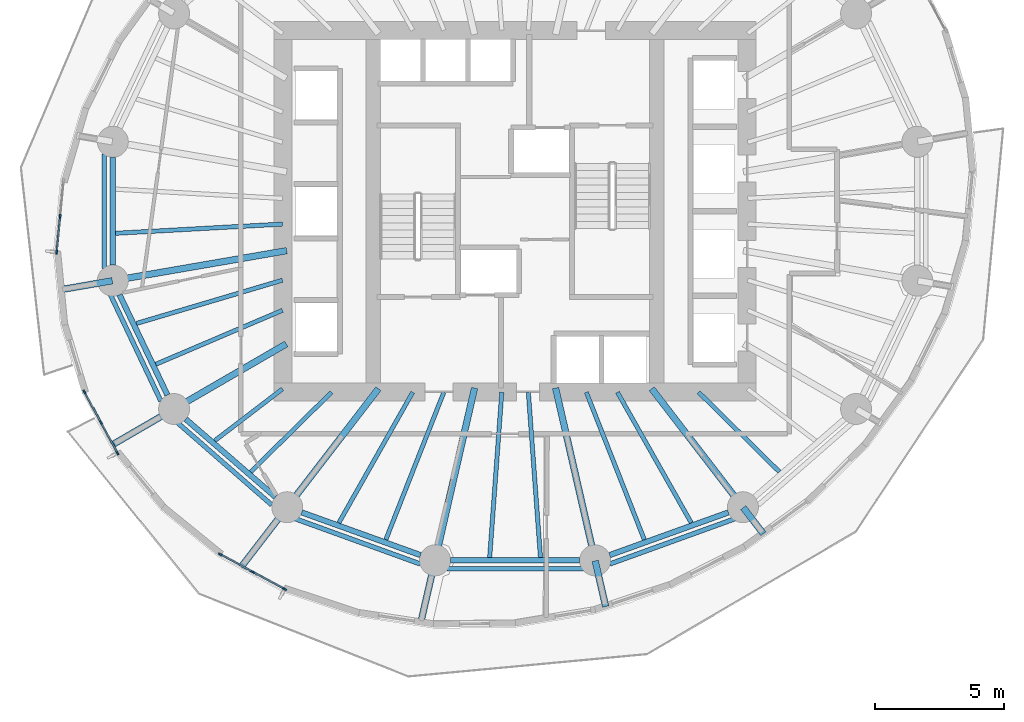
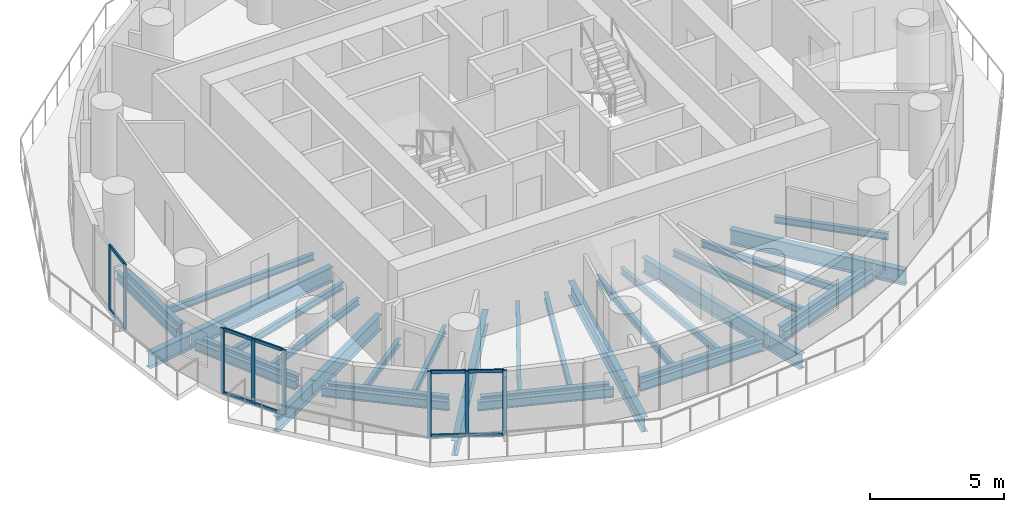
# One storey, part 2 of 14: 36 beams, 18 members, 3 elements without a shape of their own.
"""IFC4 building model written with IfcOpenShell, lengths in metres."""

from ifc_helpers import new_model, si_unit, direction, frame, origin, origin_2d, place, context, subcontext, project, spatial, rectangle, i_section, extrude, material, material_profile, profile_set, type_object, element, aggregate, save


model = new_model("IFC4")

# Units and contexts
model_context = context("Model", 3, precision=1e-05, world=origin(), true_north=direction((0.0, 1.0)))
body_context = subcontext(model_context, "Body", "Model", "MODEL_VIEW")
ifc_project = project(units=[si_unit("LENGTHUNIT", "METRE"), si_unit("AREAUNIT", "SQUARE_METRE"), si_unit("VOLUMEUNIT", "CUBIC_METRE"), si_unit("PLANEANGLEUNIT", "RADIAN"), si_unit("MASSUNIT", "GRAM", prefix="KILO")], contexts=[model_context])

# Site, building, storey
site_placement = place(None, origin())
site = spatial("IfcSite", under=ifc_project, at=site_placement, CompositionType="ELEMENT")
building_placement = place(site_placement, origin())
building = spatial("IfcBuilding", under=site, at=building_placement, Name="Veldorim Arch Residences", CompositionType="ELEMENT")
storey_placement = place(building_placement, frame((0.0, 0.0, 99.679931640625)))
storey = spatial("IfcBuildingStorey", under=building, at=storey_placement, Name="L29", CompositionType="ELEMENT", Elevation=99.679931640625)

# Beams
ifc_material_1 = material(Name="Steel S355", Category="steel")
ifc_material_profile_1 = material_profile(ifc_material_1, i_section(OverallWidth=0.2119140625, OverallDepth=0.54443359375, WebThickness=0.0126953125, FlangeThickness=0.021240234375, at=origin_2d()), Name="UB533x210x122")
ifc_profile_set_1 = profile_set([ifc_material_profile_1], Name="Steel S355")
beam_type_1 = type_object("IfcBeamType", Name="Structural Steel Beam UB533x210x122", PredefinedType="BEAM", material=ifc_profile_set_1)
beam_1_placement = place(storey_placement, frame((16.405517578125, 26.09228515625, -0.51220703125), z_axis=(0.0, -1.0, 0.0), x_axis=(1.0, 0.0, 0.0)))
element("IfcBeam", 1, at=beam_1_placement, inside=storey, type_object=beam_type_1, Name="L29 perimeter ring tie beam 08", PredefinedType="BEAM", context=body_context, shape_type="SweptSolid", body=[
    extrude(i_section(OverallWidth=0.2119140625, OverallDepth=0.54443359375, WebThickness=0.0126953125, FlangeThickness=0.021240234375, at=origin_2d()), origin(), (0.0, 0.0, 1.0), 4.1845703125),
])
beam_2_placement = place(storey_placement, frame((16.663818359375, 20.766357421875, -0.51220703125), z_axis=(0.430720154476, -0.902485539235, 0.0), x_axis=(0.902485539235, 0.430720154476, 0.0)))
element("IfcBeam", 2, at=beam_2_placement, inside=storey, type_object=beam_type_1, Name="L29 perimeter ring tie beam 09", PredefinedType="BEAM", context=body_context, shape_type="SweptSolid", body=[
    extrude(i_section(OverallWidth=0.2119140625, OverallDepth=0.54443359375, WebThickness=0.0126953125, FlangeThickness=0.021240234375, at=origin_2d()), origin(), (0.0, 0.0, 1.0), 4.312255859375),
])
beam_3_placement = place(storey_placement, frame((19.232666015625, 15.939697265625, -0.51220703125), z_axis=(0.755244952556, -0.655442645576, 0.0), x_axis=(0.655442645576, 0.755244952556, 0.0)))
element("IfcBeam", 3, at=beam_3_placement, inside=storey, type_object=beam_type_1, Name="L29 perimeter ring tie beam 10", PredefinedType="BEAM", context=body_context, shape_type="SweptSolid", body=[
    extrude(i_section(OverallWidth=0.2119140625, OverallDepth=0.54443359375, WebThickness=0.0126953125, FlangeThickness=0.021240234375, at=origin_2d()), origin(), (0.0, 0.0, 1.0), 4.608642578125),
])
beam_4_placement = place(storey_placement, frame((23.73095703125, 12.32275390625, -0.51220703125), z_axis=(0.941041944493, -0.338289903343, 0.0), x_axis=(0.338289903343, 0.941041944493, 0.0)))
element("IfcBeam", 4, at=beam_4_placement, inside=storey, type_object=beam_type_1, Name="L29 perimeter ring tie beam 11", PredefinedType="BEAM", context=body_context, shape_type="SweptSolid", body=[
    extrude(i_section(OverallWidth=0.2119140625, OverallDepth=0.54443359375, WebThickness=0.0126953125, FlangeThickness=0.021240234375, at=origin_2d()), origin(), (0.0, 0.0, 1.0), 4.890869140625),
])
beam_5_placement = place(storey_placement, frame((29.498046875, 10.465087890625, -0.51220703125), z_axis=(1.0, 0.0, 0.0), x_axis=(0.0, 1.0, 0.0)))
element("IfcBeam", 5, at=beam_5_placement, inside=storey, type_object=beam_type_1, Name="L29 perimeter ring tie beam 12", PredefinedType="BEAM", context=body_context, shape_type="SweptSolid", body=[
    extrude(i_section(OverallWidth=0.2119140625, OverallDepth=0.54443359375, WebThickness=0.0126953125, FlangeThickness=0.021240234375, at=origin_2d()), origin(), (0.0, 0.0, 1.0), 5.00390625),
])
beam_6_placement = place(storey_placement, frame((35.66650390625, 10.668212890625, -0.51220703125), z_axis=(0.941041944493, 0.338289903343, 0.0), x_axis=(-0.338289903343, 0.941041944493, 0.0)))
element("IfcBeam", 6, at=beam_6_placement, inside=storey, type_object=beam_type_1, Name="L29 perimeter ring tie beam 13", PredefinedType="BEAM", context=body_context, shape_type="SweptSolid", body=[
    extrude(i_section(OverallWidth=0.2119140625, OverallDepth=0.54443359375, WebThickness=0.0126953125, FlangeThickness=0.021240234375, at=origin_2d()), origin(), (0.0, 0.0, 1.0), 4.890869140625),
])
ifc_material_2 = material(Name="Steel S355", Category="steel")
ifc_material_profile_2 = material_profile(ifc_material_2, i_section(OverallWidth=0.25439453125, OverallDepth=0.6875, WebThickness=0.01318359375, FlangeThickness=0.02099609375, at=origin_2d()), Name="UB686x254x152")
ifc_profile_set_2 = profile_set([ifc_material_profile_2], Name="Steel S355")
beam_type_2 = type_object("IfcBeamType", Name="Structural Steel GIRDER UB686x254x152", PredefinedType="USERDEFINED", material=ifc_profile_set_2)
beam_7_placement = place(storey_placement, frame((23.147705078125, 22.4716796875, -0.583740234375), z_axis=(-0.985426622718, -0.17010106184, 0.0), x_axis=(0.17010106184, -0.985426622718, 0.0)))
element("IfcBeam", 7, at=beam_7_placement, inside=storey, type_object=beam_type_2, Name="L29 radial floor girder 09", ObjectType="GIRDER", PredefinedType="USERDEFINED", context=body_context, shape_type="SweptSolid", body=[
    extrude(i_section(OverallWidth=0.25439453125, OverallDepth=0.6875, WebThickness=0.01318359375, FlangeThickness=0.02099609375, at=origin_2d()), origin(), (0.0, 0.0, 1.0), 6.82177734375),
])
beam_8_placement = place(storey_placement, frame((16.3857421875, 21.304443359375, -0.583740234375), z_axis=(-0.985413092061, -0.170179428821, 0.0), x_axis=(0.170179428821, -0.985413092061, 0.0)))
element("IfcBeam", 8, at=beam_8_placement, inside=storey, type_object=beam_type_2, Name="L29 radial edge cantilever girder 09", ObjectType="GIRDER", PredefinedType="USERDEFINED", context=body_context, shape_type="SweptSolid", body=[
    extrude(i_section(OverallWidth=0.25439453125, OverallDepth=0.6875, WebThickness=0.01318359375, FlangeThickness=0.02099609375, at=origin_2d()), origin(), (0.0, 0.0, 1.0), 2.0400390625),
])
beam_9_placement = place(storey_placement, frame((23.1298828125, 18.85595703125, -0.583740234375), z_axis=(-0.865048957682, -0.501687453314, 0.0), x_axis=(0.501687453314, -0.865048957682, 0.0)))
element("IfcBeam", 9, at=beam_9_placement, inside=storey, type_object=beam_type_2, Name="L29 radial floor girder 10", ObjectType="GIRDER", PredefinedType="USERDEFINED", context=body_context, shape_type="SweptSolid", body=[
    extrude(i_section(OverallWidth=0.25439453125, OverallDepth=0.6875, WebThickness=0.01318359375, FlangeThickness=0.02099609375, at=origin_2d()), origin(), (0.0, 0.0, 1.0), 5.009033203125),
])
beam_10_placement = place(storey_placement, frame((18.76220703125, 16.322998046875, -0.583740234375), z_axis=(-0.865074923998, -0.50164267748, 0.0), x_axis=(0.50164267748, -0.865074923998, 0.0)))
element("IfcBeam", 10, at=beam_10_placement, inside=storey, type_object=beam_type_2, Name="L29 radial edge cantilever girder 10", ObjectType="GIRDER", PredefinedType="USERDEFINED", context=body_context, shape_type="SweptSolid", body=[
    extrude(i_section(OverallWidth=0.25439453125, OverallDepth=0.6875, WebThickness=0.01318359375, FlangeThickness=0.02099609375, at=origin_2d()), origin(), (0.0, 0.0, 1.0), 2.713134765625),
])
beam_11_placement = place(storey_placement, frame((26.702392578125, 17.118896484375, -0.583740234375), z_axis=(-0.609994628196, -0.792405548676, 0.0), x_axis=(0.792405548676, -0.609994628196, 0.0)))
element("IfcBeam", 11, at=beam_11_placement, inside=storey, type_object=beam_type_2, Name="L29 radial floor girder 11", ObjectType="GIRDER", PredefinedType="USERDEFINED", context=body_context, shape_type="SweptSolid", body=[
    extrude(i_section(OverallWidth=0.25439453125, OverallDepth=0.6875, WebThickness=0.01318359375, FlangeThickness=0.02099609375, at=origin_2d()), origin(), (0.0, 0.0, 1.0), 5.776611328125),
])
beam_12_placement = place(storey_placement, frame((23.154296875, 12.510009765625, -0.583740234375), z_axis=(-0.610012928727, -0.792391460571, 0.0), x_axis=(0.792391460571, -0.610012928727, 0.0)))
element("IfcBeam", 12, at=beam_12_placement, inside=storey, type_object=beam_type_2, Name="L29 radial edge cantilever girder 11", ObjectType="GIRDER", PredefinedType="USERDEFINED", context=body_context, shape_type="SweptSolid", body=[
    extrude(i_section(OverallWidth=0.25439453125, OverallDepth=0.6875, WebThickness=0.01318359375, FlangeThickness=0.02099609375, at=origin_2d()), origin(), (0.0, 0.0, 1.0), 2.85009765625),
])
beam_13_placement = place(storey_placement, frame((30.42919921875, 17.146240234375, -0.583740234375), z_axis=(-0.223374742148, -0.97473264261, 0.0), x_axis=(0.97473264261, -0.223374742148, 0.0)))
element("IfcBeam", 13, at=beam_13_placement, inside=storey, type_object=beam_type_2, Name="L29 radial floor girder 12", ObjectType="GIRDER", PredefinedType="USERDEFINED", context=body_context, shape_type="SweptSolid", body=[
    extrude(i_section(OverallWidth=0.25439453125, OverallDepth=0.6875, WebThickness=0.01318359375, FlangeThickness=0.02099609375, at=origin_2d()), origin(), (0.0, 0.0, 1.0), 6.834228515625),
])
beam_14_placement = place(storey_placement, frame((28.8935546875, 10.44580078125, -0.583740234375), z_axis=(-0.223409552983, -0.974724664526, 0.0), x_axis=(0.974724664526, -0.223409552983, 0.0)))
element("IfcBeam", 14, at=beam_14_placement, inside=storey, type_object=beam_type_2, Name="L29 radial edge cantilever girder 12", ObjectType="GIRDER", PredefinedType="USERDEFINED", context=body_context, shape_type="SweptSolid", body=[
    extrude(i_section(OverallWidth=0.25439453125, OverallDepth=0.6875, WebThickness=0.01318359375, FlangeThickness=0.02099609375, at=origin_2d()), origin(), (0.0, 0.0, 1.0), 2.4599609375),
])
beam_15_placement = place(storey_placement, frame((33.57080078125, 17.146240234375, -0.583740234375), z_axis=(0.223374742148, -0.97473264261, 0.0), x_axis=(0.97473264261, 0.223374742148, 0.0)))
element("IfcBeam", 15, at=beam_15_placement, inside=storey, type_object=beam_type_2, Name="L29 radial floor girder 13", ObjectType="GIRDER", PredefinedType="USERDEFINED", context=body_context, shape_type="SweptSolid", body=[
    extrude(i_section(OverallWidth=0.25439453125, OverallDepth=0.6875, WebThickness=0.01318359375, FlangeThickness=0.02099609375, at=origin_2d()), origin(), (0.0, 0.0, 1.0), 6.834228515625),
])
beam_16_placement = place(storey_placement, frame((35.1064453125, 10.44580078125, -0.583740234375), z_axis=(0.223360224224, -0.974735969499, 0.0), x_axis=(0.974735969499, 0.223360224224, 0.0)))
element("IfcBeam", 16, at=beam_16_placement, inside=storey, type_object=beam_type_2, Name="L29 radial edge cantilever girder 13", ObjectType="GIRDER", PredefinedType="USERDEFINED", context=body_context, shape_type="SweptSolid", body=[
    extrude(i_section(OverallWidth=0.25439453125, OverallDepth=0.6875, WebThickness=0.01318359375, FlangeThickness=0.02099609375, at=origin_2d()), origin(), (0.0, 0.0, 1.0), 1.81982421875),
])
beam_17_placement = place(storey_placement, frame((37.297607421875, 17.118896484375, -0.583740234375), z_axis=(0.609994628196, -0.792405548676, 0.0), x_axis=(0.792405548676, 0.609994628196, 0.0)))
element("IfcBeam", 17, at=beam_17_placement, inside=storey, type_object=beam_type_2, Name="L29 radial floor girder 14", ObjectType="GIRDER", PredefinedType="USERDEFINED", context=body_context, shape_type="SweptSolid", body=[
    extrude(i_section(OverallWidth=0.25439453125, OverallDepth=0.6875, WebThickness=0.01318359375, FlangeThickness=0.02099609375, at=origin_2d()), origin(), (0.0, 0.0, 1.0), 5.776611328125),
])
beam_18_placement = place(storey_placement, frame((40.845703125, 12.510009765625, -0.583740234375), z_axis=(0.609941382305, -0.79244653457, 0.0), x_axis=(0.79244653457, 0.609941382305, 0.0)))
element("IfcBeam", 18, at=beam_18_placement, inside=storey, type_object=beam_type_2, Name="L29 radial edge cantilever girder 14", ObjectType="GIRDER", PredefinedType="USERDEFINED", context=body_context, shape_type="SweptSolid", body=[
    extrude(i_section(OverallWidth=0.25439453125, OverallDepth=0.6875, WebThickness=0.01318359375, FlangeThickness=0.02099609375, at=origin_2d()), origin(), (0.0, 0.0, 1.0), 1.27880859375),
])
ifc_material_3 = material(Name="Steel S355", Category="steel")
ifc_material_profile_3 = material_profile(ifc_material_3, i_section(OverallWidth=0.165771484375, OverallDepth=0.306640625, WebThickness=0.006591796875, FlangeThickness=0.01171875, at=origin_2d()), Name="UB305x165x46")
ifc_profile_set_3 = profile_set([ifc_material_profile_3], Name="Steel S355")
beam_type_3 = type_object("IfcBeamType", Name="Structural Steel Joist UB305x165x46", PredefinedType="JOIST", material=ifc_profile_set_3)
beam_19_placement = place(storey_placement, frame((22.97998046875, 23.501708984375, -0.393310546875), z_axis=(-0.99847713097, -0.055167190702, 0.0), x_axis=(0.055167190702, -0.99847713097, 0.0)))
element("IfcBeam", 19, at=beam_19_placement, inside=storey, type_object=beam_type_3, Name="L29 secondary radial floor joist 08-2", PredefinedType="JOIST", context=body_context, shape_type="SweptSolid", body=[
    extrude(i_section(OverallWidth=0.165771484375, OverallDepth=0.306640625, WebThickness=0.006591796875, FlangeThickness=0.01171875, at=origin_2d()), origin(), (0.0, 0.0, 1.0), 6.474365234375),
])
beam_20_placement = place(storey_placement, frame((22.980712890625, 21.326416015625, -0.393310546875), z_axis=(-0.958753061488, -0.284240333324, 0.0), x_axis=(0.284240333324, -0.958753061488, 0.0)))
element("IfcBeam", 20, at=beam_20_placement, inside=storey, type_object=beam_type_3, Name="L29 secondary radial floor joist 09-1", PredefinedType="JOIST", context=body_context, shape_type="SweptSolid", body=[
    extrude(i_section(OverallWidth=0.165771484375, OverallDepth=0.306640625, WebThickness=0.006591796875, FlangeThickness=0.01171875, at=origin_2d()), origin(), (0.0, 0.0, 1.0), 5.906005859375),
])
beam_21_placement = place(storey_placement, frame((22.981689453125, 20.158447265625, -0.393310546875), z_axis=(-0.919997395122, -0.391924473552, 0.0), x_axis=(0.391924473552, -0.919997395122, 0.0)))
element("IfcBeam", 21, at=beam_21_placement, inside=storey, type_object=beam_type_3, Name="L29 secondary radial floor joist 09-2", PredefinedType="JOIST", context=body_context, shape_type="SweptSolid", body=[
    extrude(i_section(OverallWidth=0.165771484375, OverallDepth=0.306640625, WebThickness=0.006591796875, FlangeThickness=0.01171875, at=origin_2d()), origin(), (0.0, 0.0, 1.0), 5.334716796875),
])
beam_22_placement = place(storey_placement, frame((22.984130859375, 17.111572265625, -0.393310546875), z_axis=(-0.794594763594, -0.60714014994, 0.0), x_axis=(0.60714014994, -0.794594763594, 0.0)))
element("IfcBeam", 22, at=beam_22_placement, inside=storey, type_object=beam_type_3, Name="L29 secondary radial floor joist 10-1", PredefinedType="JOIST", context=body_context, shape_type="SweptSolid", body=[
    extrude(i_section(OverallWidth=0.165771484375, OverallDepth=0.306640625, WebThickness=0.006591796875, FlangeThickness=0.01171875, at=origin_2d()), origin(), (0.0, 0.0, 1.0), 3.30419921875),
])
beam_23_placement = place(storey_placement, frame((24.885986328125, 16.986083984375, -0.393310546875), z_axis=(-0.712111629941, -0.702066255066, 0.0), x_axis=(0.702066255066, -0.712111629941, 0.0)))
element("IfcBeam", 23, at=beam_23_placement, inside=storey, type_object=beam_type_3, Name="L29 secondary radial floor joist 10-2", PredefinedType="JOIST", context=body_context, shape_type="SweptSolid", body=[
    extrude(i_section(OverallWidth=0.165771484375, OverallDepth=0.306640625, WebThickness=0.006591796875, FlangeThickness=0.01171875, at=origin_2d()), origin(), (0.0, 0.0, 1.0), 4.39892578125),
])
beam_24_placement = place(storey_placement, frame((28.03173828125, 16.982666015625, -0.393310546875), z_axis=(-0.492227411199, -0.870466642476, 0.0), x_axis=(0.870466642476, -0.492227411199, 0.0)))
element("IfcBeam", 24, at=beam_24_placement, inside=storey, type_object=beam_type_3, Name="L29 secondary radial floor joist 11-1", PredefinedType="JOIST", context=body_context, shape_type="SweptSolid", body=[
    extrude(i_section(OverallWidth=0.165771484375, OverallDepth=0.306640625, WebThickness=0.006591796875, FlangeThickness=0.01171875, at=origin_2d()), origin(), (0.0, 0.0, 1.0), 5.81494140625),
])
beam_25_placement = place(storey_placement, frame((29.238037109375, 16.9814453125, -0.393310546875), z_axis=(-0.366194870364, -0.930538186707, 0.0), x_axis=(0.930538186707, -0.366194870364, 0.0)))
element("IfcBeam", 25, at=beam_25_placement, inside=storey, type_object=beam_type_3, Name="L29 secondary radial floor joist 11-2", PredefinedType="JOIST", context=body_context, shape_type="SweptSolid", body=[
    extrude(i_section(OverallWidth=0.165771484375, OverallDepth=0.306640625, WebThickness=0.006591796875, FlangeThickness=0.01171875, at=origin_2d()), origin(), (0.0, 0.0, 1.0), 6.1396484375),
])
for number, where, z_axis, x_axis, name in (
    (26, (31.485107421875, 16.97998046875, -0.393310546875), (-0.073143494169, -0.997321427254, 0.0), (0.997321427254, -0.073143494169, 0.0), "L29 secondary radial floor joist 12-1"),
    (27, (32.514892578125, 16.97998046875, -0.393310546875), (0.073143494169, -0.997321427254, 0.0), (0.997321427254, 0.073143494169, 0.0), "L29 secondary radial floor joist 12-2"),
):
    element("IfcBeam", number, at=place(storey_placement, frame(where, z_axis=z_axis, x_axis=x_axis)), inside=storey, type_object=beam_type_3, Name=name, PredefinedType="JOIST", context=body_context, shape_type="SweptSolid", body=[
        extrude(i_section(OverallWidth=0.165771484375, OverallDepth=0.306640625, WebThickness=0.006591796875, FlangeThickness=0.01171875, at=origin_2d()), origin(), (0.0, 0.0, 1.0), 6.421875),
    ])
beam_26_placement = place(storey_placement, frame((34.761962890625, 16.9814453125, -0.393310546875), z_axis=(0.366194870364, -0.930538186707, 0.0), x_axis=(0.930538186707, 0.366194870364, 0.0)))
element("IfcBeam", 28, at=beam_26_placement, inside=storey, type_object=beam_type_3, Name="L29 secondary radial floor joist 13-1", PredefinedType="JOIST", context=body_context, shape_type="SweptSolid", body=[
    extrude(i_section(OverallWidth=0.165771484375, OverallDepth=0.306640625, WebThickness=0.006591796875, FlangeThickness=0.01171875, at=origin_2d()), origin(), (0.0, 0.0, 1.0), 6.1396484375),
])
beam_27_placement = place(storey_placement, frame((35.96826171875, 16.982666015625, -0.393310546875), z_axis=(0.492227411199, -0.870466642476, 0.0), x_axis=(0.870466642476, 0.492227411199, 0.0)))
element("IfcBeam", 29, at=beam_27_placement, inside=storey, type_object=beam_type_3, Name="L29 secondary radial floor joist 13-2", PredefinedType="JOIST", context=body_context, shape_type="SweptSolid", body=[
    extrude(i_section(OverallWidth=0.165771484375, OverallDepth=0.306640625, WebThickness=0.006591796875, FlangeThickness=0.01171875, at=origin_2d()), origin(), (0.0, 0.0, 1.0), 5.81494140625),
])
beam_28_placement = place(storey_placement, frame((39.114013671875, 16.986083984375, -0.393310546875), z_axis=(0.712111629941, -0.702066255066, 0.0), x_axis=(0.702066255066, 0.712111629941, 0.0)))
element("IfcBeam", 30, at=beam_28_placement, inside=storey, type_object=beam_type_3, Name="L29 secondary radial floor joist 14-1", PredefinedType="JOIST", context=body_context, shape_type="SweptSolid", body=[
    extrude(i_section(OverallWidth=0.165771484375, OverallDepth=0.306640625, WebThickness=0.006591796875, FlangeThickness=0.01171875, at=origin_2d()), origin(), (0.0, 0.0, 1.0), 4.39892578125),
])
ifc_material_4 = material(Name="Steel S355", Category="steel")
ifc_material_profile_4 = material_profile(ifc_material_4, i_section(OverallWidth=0.1787109375, OverallDepth=0.409423828125, WebThickness=0.0087890625, FlangeThickness=0.014404296875, at=origin_2d()), Name="UB406x178x67")
ifc_profile_set_4 = profile_set([ifc_material_profile_4], Name="Steel S355")
beam_type_4 = type_object("IfcBeamType", Name="Structural Steel Spandrel UB406x178x67", PredefinedType="SPANDREL", material=ifc_profile_set_4)
beam_29_placement = place(storey_placement, frame((16.080322265625, 26.22021484375, -0.464599609375), z_axis=(0.0, -1.0, 0.0), x_axis=(1.0, 0.0, 0.0)))
element("IfcBeam", 31, at=beam_29_placement, inside=storey, type_object=beam_type_4, Name="L29 perimeter chord spandrel beam 08", PredefinedType="SPANDREL", context=body_context, shape_type="SweptSolid", body=[
    extrude(i_section(OverallWidth=0.1787109375, OverallDepth=0.409423828125, WebThickness=0.0087890625, FlangeThickness=0.014404296875, at=origin_2d()), origin(), (0.0, 0.0, 1.0), 4.4404296875),
])
beam_30_placement = place(storey_placement, frame((16.306884765625, 20.774658203125, -0.464599609375), z_axis=(0.428857472204, -0.903372165021, 0.0), x_axis=(0.903372165021, 0.428857472204, 0.0)))
element("IfcBeam", 32, at=beam_30_placement, inside=storey, type_object=beam_type_4, Name="L29 perimeter chord spandrel beam 09", PredefinedType="SPANDREL", context=body_context, shape_type="SweptSolid", body=[
    extrude(i_section(OverallWidth=0.1787109375, OverallDepth=0.409423828125, WebThickness=0.0087890625, FlangeThickness=0.014404296875, at=origin_2d()), origin(), (0.0, 0.0, 1.0), 4.572021484375),
])
beam_31_placement = place(storey_placement, frame((18.891845703125, 15.8203125, -0.464599609375), z_axis=(0.753323239074, -0.65765043714, 0.0), x_axis=(0.65765043714, 0.753323239074, 0.0)))
element("IfcBeam", 33, at=beam_31_placement, inside=storey, type_object=beam_type_4, Name="L29 perimeter chord spandrel beam 10", PredefinedType="SPANDREL", context=body_context, shape_type="SweptSolid", body=[
    extrude(i_section(OverallWidth=0.1787109375, OverallDepth=0.409423828125, WebThickness=0.0087890625, FlangeThickness=0.014404296875, at=origin_2d()), origin(), (0.0, 0.0, 1.0), 4.879150390625),
])
beam_32_placement = place(storey_placement, frame((23.461669921875, 12.08447265625, -0.464599609375), z_axis=(0.940307501418, -0.340326024244, 0.0), x_axis=(0.340326024244, 0.940307501418, 0.0)))
element("IfcBeam", 34, at=beam_32_placement, inside=storey, type_object=beam_type_4, Name="L29 perimeter chord spandrel beam 11", PredefinedType="SPANDREL", context=body_context, shape_type="SweptSolid", body=[
    extrude(i_section(OverallWidth=0.1787109375, OverallDepth=0.409423828125, WebThickness=0.0087890625, FlangeThickness=0.014404296875, at=origin_2d()), origin(), (0.0, 0.0, 1.0), 5.175048828125),
])
beam_33_placement = place(storey_placement, frame((29.352294921875, 10.1435546875, -0.464599609375), z_axis=(1.0, 0.0, 0.0), x_axis=(0.0, 1.0, 0.0)))
element("IfcBeam", 35, at=beam_33_placement, inside=storey, type_object=beam_type_4, Name="L29 perimeter chord spandrel beam 12", PredefinedType="SPANDREL", context=body_context, shape_type="SweptSolid", body=[
    extrude(i_section(OverallWidth=0.1787109375, OverallDepth=0.409423828125, WebThickness=0.0087890625, FlangeThickness=0.014404296875, at=origin_2d()), origin(), (0.0, 0.0, 1.0), 5.29541015625),
])
beam_34_placement = place(storey_placement, frame((35.672119140625, 10.3232421875, -0.464599609375), z_axis=(0.940307501418, 0.340326024244, 0.0), x_axis=(-0.340326024244, 0.940307501418, 0.0)))
element("IfcBeam", 36, at=beam_34_placement, inside=storey, type_object=beam_type_4, Name="L29 perimeter chord spandrel beam 13", PredefinedType="SPANDREL", context=body_context, shape_type="SweptSolid", body=[
    extrude(i_section(OverallWidth=0.1787109375, OverallDepth=0.409423828125, WebThickness=0.0087890625, FlangeThickness=0.014404296875, at=origin_2d()), origin(), (0.0, 0.0, 1.0), 5.175048828125),
])

# Curtain wall, members
ifc_material_5 = material(Name="Aluminium", Category="aluminium")
curtain_wall_type = type_object("IfcCurtainWallType", Name="Zone 2 Solar-Control Unitised Curtain Wall", PredefinedType="NOTDEFINED", material=ifc_material_5)
curtain_wall_1_placement = place(storey_placement, origin())
curtain_wall_1 = element("IfcCurtainWall", 37, at=curtain_wall_1_placement, inside=storey, type_object=curtain_wall_type, Name="L29 unitised curtain wall bay 16", PredefinedType="NOTDEFINED")
ifc_material_6 = material(Name="Aluminium", Category="aluminium")
ifc_material_profile_5 = material_profile(ifc_material_6, rectangle(XDim=0.06494140625, YDim=0.1650390625, at=origin_2d()), Name="ALU_MUL_65x165")
ifc_profile_set_5 = profile_set([ifc_material_profile_5], Name="Aluminium")
member_type_1 = type_object("IfcMemberType", Name="Zone 2 Solar-Control Unitised Curtain Wall Mullion 65x165", PredefinedType="MULLION", material=ifc_profile_set_5)
member_1_placement = place(storey_placement, frame((14.229248046875, 22.415283203125, 0.0), z_axis=(0.0, 0.0, 1.0), x_axis=(-0.995292751709, 0.096914077387, 0.0)))
member_1 = element("IfcMember", 38, at=member_1_placement, type_object=member_type_1, Name="CW-Z2 mullion 1", PredefinedType="MULLION", context=body_context, shape_type="SweptSolid", body=[
    extrude(rectangle(XDim=0.06494140625, YDim=0.1650390625, at=origin_2d()), origin(), (0.0, 0.0, 1.0), 2.9599609375),
])
member_2_placement = place(storey_placement, frame((14.36328125, 23.79296875, 0.0), z_axis=(0.0, 0.0, 1.0), x_axis=(-0.995292751709, 0.096914077387, 0.0)))
member_2 = element("IfcMember", 39, at=member_2_placement, type_object=member_type_1, Name="CW-Z2 mullion 2", PredefinedType="MULLION", context=body_context, shape_type="SweptSolid", body=[
    extrude(rectangle(XDim=0.06494140625, YDim=0.1650390625, at=origin_2d()), origin(), (0.0, 0.0, 1.0), 2.9599609375),
])

curtain_wall_2_placement = place(storey_placement, origin())
curtain_wall_2 = element("IfcCurtainWall", 40, at=curtain_wall_2_placement, inside=storey, type_object=curtain_wall_type, Name="L29 unitised curtain wall bay 19", PredefinedType="NOTDEFINED")
member_3_placement = place(storey_placement, frame((16.583984375, 14.62890625, 0.0), z_axis=(0.0, 0.0, 1.0), x_axis=(-0.87936599291, -0.4761464591, 0.0)))
member_3 = element("IfcMember", 41, at=member_3_placement, type_object=member_type_1, Name="CW-Z2 mullion 1", PredefinedType="MULLION", context=body_context, shape_type="SweptSolid", body=[
    extrude(rectangle(XDim=0.06494140625, YDim=0.1650390625, at=origin_2d()), origin(), (0.0, 0.0, 1.0), 2.9599609375),
])
member_4_placement = place(storey_placement, frame((15.943115234375, 15.812744140625, 0.0), z_axis=(0.0, 0.0, 1.0), x_axis=(-0.87936599291, -0.4761464591, 0.0)))
member_4 = element("IfcMember", 42, at=member_4_placement, type_object=member_type_1, Name="CW-Z2 mullion 2", PredefinedType="MULLION", context=body_context, shape_type="SweptSolid", body=[
    extrude(rectangle(XDim=0.06494140625, YDim=0.1650390625, at=origin_2d()), origin(), (0.0, 0.0, 1.0), 2.9599609375),
])
member_5_placement = place(storey_placement, frame((15.302001953125, 16.996826171875, 0.0), z_axis=(0.0, 0.0, 1.0), x_axis=(-0.87936599291, -0.4761464591, 0.0)))
member_5 = element("IfcMember", 43, at=member_5_placement, type_object=member_type_1, Name="CW-Z2 mullion 3", PredefinedType="MULLION", context=body_context, shape_type="SweptSolid", body=[
    extrude(rectangle(XDim=0.06494140625, YDim=0.1650390625, at=origin_2d()), origin(), (0.0, 0.0, 1.0), 2.9599609375),
])

curtain_wall_3_placement = place(storey_placement, origin())
curtain_wall_3 = element("IfcCurtainWall", 44, at=curtain_wall_3_placement, inside=storey, type_object=curtain_wall_type, Name="L29 unitised curtain wall bay 22", PredefinedType="NOTDEFINED")
member_6_placement = place(storey_placement, frame((23.06640625, 9.34814453125, 0.0), z_axis=(0.0, 0.0, 1.0), x_axis=(-0.476096408895, -0.879393091534, 0.0)))
member_6 = element("IfcMember", 45, at=member_6_placement, type_object=member_type_1, Name="CW-Z2 mullion 1", PredefinedType="MULLION", context=body_context, shape_type="SweptSolid", body=[
    extrude(rectangle(XDim=0.06494140625, YDim=0.1650390625, at=origin_2d()), origin(), (0.0, 0.0, 1.0), 2.9599609375),
])
member_7_placement = place(storey_placement, frame((21.820556640625, 10.0224609375, 0.0), z_axis=(0.0, 0.0, 1.0), x_axis=(-0.476096408895, -0.879393091534, 0.0)))
member_7 = element("IfcMember", 46, at=member_7_placement, type_object=member_type_1, Name="CW-Z2 mullion 2", PredefinedType="MULLION", context=body_context, shape_type="SweptSolid", body=[
    extrude(rectangle(XDim=0.06494140625, YDim=0.1650390625, at=origin_2d()), origin(), (0.0, 0.0, 1.0), 2.9599609375),
])
member_8_placement = place(storey_placement, frame((20.57470703125, 10.697021484375, 0.0), z_axis=(0.0, 0.0, 1.0), x_axis=(-0.476096408895, -0.879393091534, 0.0)))
member_8 = element("IfcMember", 47, at=member_8_placement, type_object=member_type_1, Name="CW-Z2 mullion 3", PredefinedType="MULLION", context=body_context, shape_type="SweptSolid", body=[
    extrude(rectangle(XDim=0.06494140625, YDim=0.1650390625, at=origin_2d()), origin(), (0.0, 0.0, 1.0), 2.9599609375),
])

# Member
ifc_material_7 = material(Name="Aluminium", Category="aluminium")
ifc_material_profile_6 = material_profile(ifc_material_7, rectangle(XDim=0.06494140625, YDim=0.14501953125, at=origin_2d()), Name="ALU_TRN_65x145")
ifc_profile_set_6 = profile_set([ifc_material_profile_6], Name="Aluminium")
member_type_2 = type_object("IfcMemberType", Name="Zone 2 Solar-Control Unitised Curtain Wall Transom 65x145", PredefinedType="USERDEFINED", material=ifc_profile_set_6)
member_9_placement = place(storey_placement, frame((14.232177734375, 22.447509765625, 0.032470703125), z_axis=(0.096974768366, 0.995286840213, 0.0), x_axis=(-0.995286840213, 0.096974768366, 0.0)))
member_9 = element("IfcMember", 48, at=member_9_placement, type_object=member_type_2, Name="CW-Z2 transom 1.1", ObjectType="TRANSOM", PredefinedType="USERDEFINED", context=body_context, shape_type="SweptSolid", body=[
    extrude(rectangle(XDim=0.06494140625, YDim=0.14501953125, at=origin_2d()), origin(), (0.0, 0.0, 1.0), 1.319091796875),
])

member_10_placement = place(storey_placement, frame((14.232177734375, 22.447509765625, 2.927490234375), z_axis=(0.096974768366, 0.995286840213, 0.0), x_axis=(-0.995286840213, 0.096974768366, 0.0)))
member_10 = element("IfcMember", 49, at=member_10_placement, type_object=member_type_2, Name="CW-Z2 transom 1.2", ObjectType="TRANSOM", PredefinedType="USERDEFINED", context=body_context, shape_type="SweptSolid", body=[
    extrude(rectangle(XDim=0.06494140625, YDim=0.14501953125, at=origin_2d()), origin(), (0.0, 0.0, 1.0), 1.319091796875),
])

aggregate(curtain_wall_1, [member_1, member_2, member_9, member_10])

member_11_placement = place(storey_placement, frame((16.568603515625, 14.657470703125, 0.032470703125), z_axis=(-0.476166516797, 0.879355132061, 0.0), x_axis=(-0.879355132061, -0.476166516797, 0.0)))
member_11 = element("IfcMember", 50, at=member_11_placement, type_object=member_type_2, Name="CW-Z2 transom 1.1", ObjectType="TRANSOM", PredefinedType="USERDEFINED", context=body_context, shape_type="SweptSolid", body=[
    extrude(rectangle(XDim=0.06494140625, YDim=0.14501953125, at=origin_2d()), origin(), (0.0, 0.0, 1.0), 1.28125),
])

member_12_placement = place(storey_placement, frame((16.568603515625, 14.657470703125, 2.927490234375), z_axis=(-0.476166516797, 0.879355132061, 0.0), x_axis=(-0.879355132061, -0.476166516797, 0.0)))
member_12 = element("IfcMember", 51, at=member_12_placement, type_object=member_type_2, Name="CW-Z2 transom 1.2", ObjectType="TRANSOM", PredefinedType="USERDEFINED", context=body_context, shape_type="SweptSolid", body=[
    extrude(rectangle(XDim=0.06494140625, YDim=0.14501953125, at=origin_2d()), origin(), (0.0, 0.0, 1.0), 1.28125),
])

member_13_placement = place(storey_placement, frame((15.927490234375, 15.84130859375, 0.032470703125), z_axis=(-0.476086744214, 0.879398323846, 0.0), x_axis=(-0.879398323846, -0.476086744214, 0.0)))
member_13 = element("IfcMember", 52, at=member_13_placement, type_object=member_type_2, Name="CW-Z2 transom 2.1", ObjectType="TRANSOM", PredefinedType="USERDEFINED", context=body_context, shape_type="SweptSolid", body=[
    extrude(rectangle(XDim=0.06494140625, YDim=0.14501953125, at=origin_2d()), origin(), (0.0, 0.0, 1.0), 1.281494140625),
])

member_14_placement = place(storey_placement, frame((15.927490234375, 15.84130859375, 2.927490234375), z_axis=(-0.476086744214, 0.879398323846, 0.0), x_axis=(-0.879398323846, -0.476086744214, 0.0)))
member_14 = element("IfcMember", 53, at=member_14_placement, type_object=member_type_2, Name="CW-Z2 transom 2.2", ObjectType="TRANSOM", PredefinedType="USERDEFINED", context=body_context, shape_type="SweptSolid", body=[
    extrude(rectangle(XDim=0.06494140625, YDim=0.14501953125, at=origin_2d()), origin(), (0.0, 0.0, 1.0), 1.281494140625),
])

aggregate(curtain_wall_2, [member_3, member_4, member_5, member_11, member_12, member_13, member_14])

member_15_placement = place(storey_placement, frame((23.037841796875, 9.363525390625, 0.032470703125), z_axis=(-0.879395948535, 0.476091131718, 0.0), x_axis=(-0.476091131718, -0.879395948535, 0.0)))
member_15 = element("IfcMember", 54, at=member_15_placement, type_object=member_type_2, Name="CW-Z2 transom 1.1", ObjectType="TRANSOM", PredefinedType="USERDEFINED", context=body_context, shape_type="SweptSolid", body=[
    extrude(rectangle(XDim=0.06494140625, YDim=0.14501953125, at=origin_2d()), origin(), (0.0, 0.0, 1.0), 1.351806640625),
])

member_16_placement = place(storey_placement, frame((23.037841796875, 9.363525390625, 2.927490234375), z_axis=(-0.879395948535, 0.476091131718, 0.0), x_axis=(-0.476091131718, -0.879395948535, 0.0)))
member_16 = element("IfcMember", 55, at=member_16_placement, type_object=member_type_2, Name="CW-Z2 transom 1.2", ObjectType="TRANSOM", PredefinedType="USERDEFINED", context=body_context, shape_type="SweptSolid", body=[
    extrude(rectangle(XDim=0.06494140625, YDim=0.14501953125, at=origin_2d()), origin(), (0.0, 0.0, 1.0), 1.351806640625),
])

member_17_placement = place(storey_placement, frame((21.7919921875, 10.0380859375, 0.032470703125), z_axis=(-0.879395948535, 0.476091131718, 0.0), x_axis=(-0.476091131718, -0.879395948535, 0.0)))
member_17 = element("IfcMember", 56, at=member_17_placement, type_object=member_type_2, Name="CW-Z2 transom 2.1", ObjectType="TRANSOM", PredefinedType="USERDEFINED", context=body_context, shape_type="SweptSolid", body=[
    extrude(rectangle(XDim=0.06494140625, YDim=0.14501953125, at=origin_2d()), origin(), (0.0, 0.0, 1.0), 1.351806640625),
])

member_18_placement = place(storey_placement, frame((21.7919921875, 10.0380859375, 2.927490234375), z_axis=(-0.879395948535, 0.476091131718, 0.0), x_axis=(-0.476091131718, -0.879395948535, 0.0)))
member_18 = element("IfcMember", 57, at=member_18_placement, type_object=member_type_2, Name="CW-Z2 transom 2.2", ObjectType="TRANSOM", PredefinedType="USERDEFINED", context=body_context, shape_type="SweptSolid", body=[
    extrude(rectangle(XDim=0.06494140625, YDim=0.14501953125, at=origin_2d()), origin(), (0.0, 0.0, 1.0), 1.351806640625),
])

aggregate(curtain_wall_3, [member_6, member_7, member_8, member_15, member_16, member_17, member_18])

save(model, "model.ifc")
